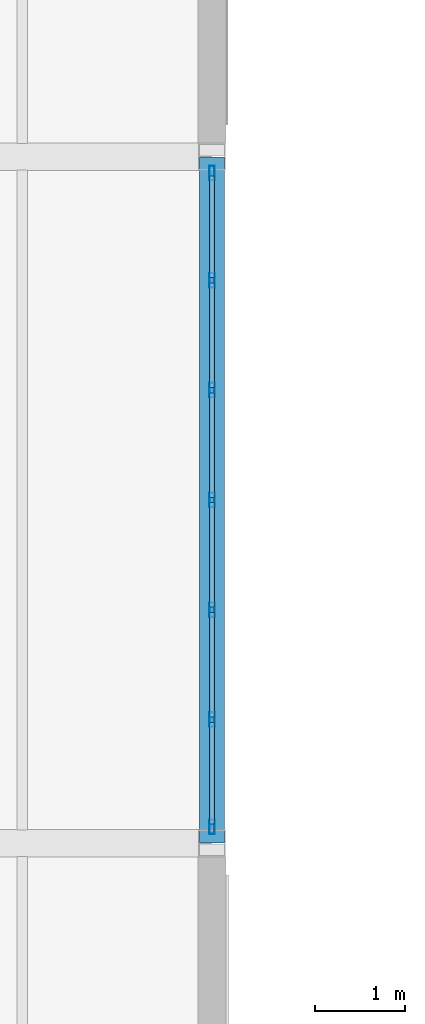
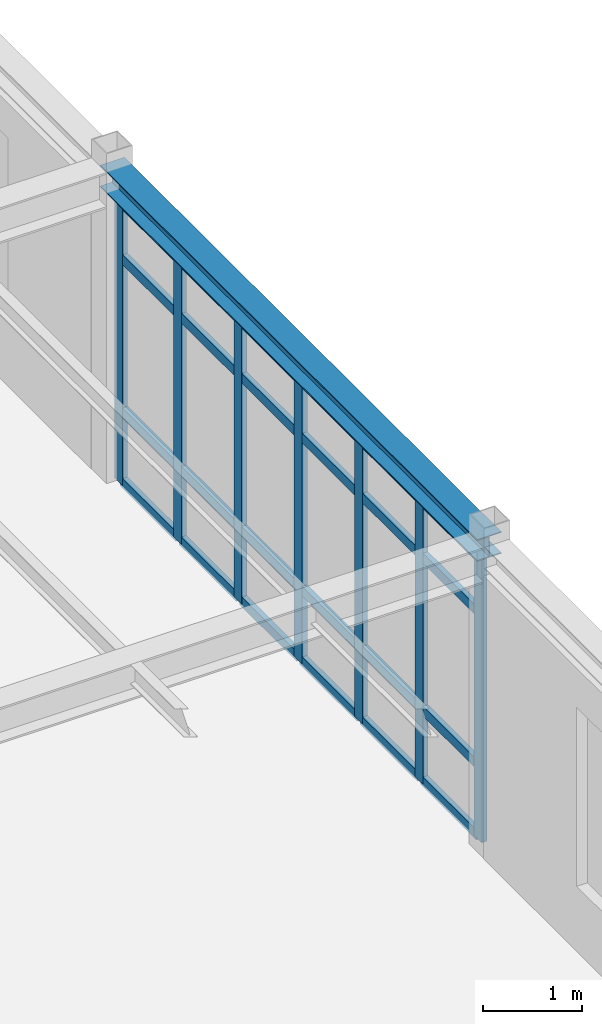
# One storey, part 90 of 165: 31 members, 1 beam, 1 element without a shape of its own.
"""IFC4 building model written with IfcOpenShell, lengths in metres."""

from ifc_helpers import new_model, si_unit, direction, frame, origin, origin_2d, place, context, subcontext, project, spatial, hollow_rectangle, i_section, extrude, material, layer, layer_set, material_profile, profile_set, type_object, element, aggregate, save


model = new_model("IFC4")

# Units and contexts
model_context = context("Model", 3, precision=1e-05, world=origin(), true_north=direction((0.0, 1.0)))
body_context = subcontext(model_context, "Body", "Model", "MODEL_VIEW")
ifc_project = project(units=[si_unit("LENGTHUNIT", "METRE"), si_unit("AREAUNIT", "SQUARE_METRE"), si_unit("VOLUMEUNIT", "CUBIC_METRE"), si_unit("PLANEANGLEUNIT", "RADIAN"), si_unit("MASSUNIT", "GRAM", prefix="KILO")], contexts=[model_context])

# Site, building, storey
site_placement = place(None, origin())
site = spatial("IfcSite", under=ifc_project, at=site_placement, CompositionType="ELEMENT")
building_placement = place(site_placement, origin())
building = spatial("IfcBuilding", under=site, at=building_placement, Name="Montecoro Central Library", CompositionType="ELEMENT")
storey_placement = place(building_placement, frame((0.0, 0.0, 5.10009765625)))
storey = spatial("IfcBuildingStorey", under=building, at=storey_placement, Name="L01", CompositionType="ELEMENT", Elevation=5.10009765625)

# Beam
ifc_material_1 = material(Name="Steel S355", Category="steel")
ifc_material_profile_1 = material_profile(ifc_material_1, i_section(OverallWidth=0.280029296875, OverallDepth=0.27001953125, WebThickness=0.008056640625, FlangeThickness=0.012939453125, at=origin_2d()), Name="HEA 280")
ifc_profile_set_1 = profile_set([ifc_material_profile_1], Name="Steel S355")
beam_type = type_object("IfcBeamType", Name="BM-SP-HEA280", PredefinedType="SPANDREL", material=ifc_profile_set_1)
beam_placement = place(storey_placement, frame((116.800048828125, 88.60498046875, 3.68994140625), z_axis=(0.0, 1.0, 0.0), x_axis=(-1.0, 0.0, 0.0)))
element("IfcBeam", 1, at=beam_placement, inside=storey, type_object=beam_type, Name="V2-L01-BY-15-MN", PredefinedType="SPANDREL", context=body_context, shape_type="SweptSolid", body=[
    extrude(i_section(OverallWidth=0.280029296875, OverallDepth=0.27001953125, WebThickness=0.008056640625, FlangeThickness=0.012939453125, at=origin_2d()), origin(), (0.0, 0.0, 1.0), 7.590087890625),
])

# Curtain wall, members
ifc_material_2 = material(Name="Bronze-anodised aluminium and low-E glazing", Category="aluminium")
ifc_layer = layer(ifc_material_2, 0.159912109375)
ifc_layer_set = layer_set([ifc_layer], Name="Bronze-anodised aluminium and low-E glazing")
curtain_wall_type = type_object("IfcCurtainWallType", Name="CWT-011", PredefinedType="NOTDEFINED", material=ifc_layer_set)
curtain_wall_placement = place(storey_placement, origin())
curtain_wall = element("IfcCurtainWall", 2, at=curtain_wall_placement, inside=storey, type_object=curtain_wall_type, Name="V2-L01-CW-E1", PredefinedType="NOTDEFINED")
ifc_material_3 = material(Name="Bronze-anodised aluminium", Category="aluminium")
ifc_material_profile_2 = material_profile(ifc_material_3, hollow_rectangle(XDim=0.06005859375, YDim=0.159912109375, WallThickness=0.00390625, at=origin_2d()), Name="CWM 160x60x4.0")
ifc_profile_set_2 = profile_set([ifc_material_profile_2], Name="Bronze-anodised aluminium")
member_type_1 = type_object("IfcMemberType", Name="CWM-BRZ-60", PredefinedType="MULLION", material=ifc_profile_set_2)
member_1_placement = place(storey_placement, frame((116.800048828125, 88.782958984375, 0.0), z_axis=(0.0, 0.0, 1.0), x_axis=(-1.0, 0.0, 0.0)))
member_1 = element("IfcMember", 3, at=member_1_placement, type_object=member_type_1, Name="CW-011 mullion 1", PredefinedType="MULLION", context=body_context, shape_type="SweptSolid", body=[
    extrude(hollow_rectangle(XDim=0.06005859375, YDim=0.159912109375, WallThickness=0.00390625, at=origin_2d()), origin(), (0.0, 0.0, 1.0), 3.47998046875),
])
member_2_placement = place(storey_placement, frame((116.800048828125, 89.96875, 0.0), z_axis=(0.0, 0.0, 1.0), x_axis=(-1.0, 0.0, 0.0)))
member_2 = element("IfcMember", 4, at=member_2_placement, type_object=member_type_1, Name="CW-011 mullion 2", PredefinedType="MULLION", context=body_context, shape_type="SweptSolid", body=[
    extrude(hollow_rectangle(XDim=0.06005859375, YDim=0.159912109375, WallThickness=0.00390625, at=origin_2d()), origin(), (0.0, 0.0, 1.0), 3.47998046875),
])
member_3_placement = place(storey_placement, frame((116.800048828125, 91.184326171875, 0.0), z_axis=(0.0, 0.0, 1.0), x_axis=(-1.0, 0.0, 0.0)))
member_3 = element("IfcMember", 5, at=member_3_placement, type_object=member_type_1, Name="CW-011 mullion 3", PredefinedType="MULLION", context=body_context, shape_type="SweptSolid", body=[
    extrude(hollow_rectangle(XDim=0.06005859375, YDim=0.159912109375, WallThickness=0.00390625, at=origin_2d()), origin(), (0.0, 0.0, 1.0), 3.47998046875),
])
member_4_placement = place(storey_placement, frame((116.800048828125, 92.39990234375, 0.0), z_axis=(0.0, 0.0, 1.0), x_axis=(-1.0, 0.0, 0.0)))
member_4 = element("IfcMember", 6, at=member_4_placement, type_object=member_type_1, Name="CW-011 mullion 4", PredefinedType="MULLION", context=body_context, shape_type="SweptSolid", body=[
    extrude(hollow_rectangle(XDim=0.06005859375, YDim=0.159912109375, WallThickness=0.00390625, at=origin_2d()), origin(), (0.0, 0.0, 1.0), 3.47998046875),
])
member_5_placement = place(storey_placement, frame((116.800048828125, 93.61572265625, 0.0), z_axis=(0.0, 0.0, 1.0), x_axis=(-1.0, 0.0, 0.0)))
member_5 = element("IfcMember", 7, at=member_5_placement, type_object=member_type_1, Name="CW-011 mullion 5", PredefinedType="MULLION", context=body_context, shape_type="SweptSolid", body=[
    extrude(hollow_rectangle(XDim=0.06005859375, YDim=0.159912109375, WallThickness=0.00390625, at=origin_2d()), origin(), (0.0, 0.0, 1.0), 3.47998046875),
])
member_6_placement = place(storey_placement, frame((116.800048828125, 94.831298828125, 0.0), z_axis=(0.0, 0.0, 1.0), x_axis=(-1.0, 0.0, 0.0)))
member_6 = element("IfcMember", 8, at=member_6_placement, type_object=member_type_1, Name="CW-011 mullion 6", PredefinedType="MULLION", context=body_context, shape_type="SweptSolid", body=[
    extrude(hollow_rectangle(XDim=0.06005859375, YDim=0.159912109375, WallThickness=0.00390625, at=origin_2d()), origin(), (0.0, 0.0, 1.0), 3.47998046875),
])
member_7_placement = place(storey_placement, frame((116.800048828125, 96.01708984375, 0.0), z_axis=(0.0, 0.0, 1.0), x_axis=(-1.0, 0.0, 0.0)))
member_7 = element("IfcMember", 9, at=member_7_placement, type_object=member_type_1, Name="CW-011 mullion 7", PredefinedType="MULLION", context=body_context, shape_type="SweptSolid", body=[
    extrude(hollow_rectangle(XDim=0.06005859375, YDim=0.159912109375, WallThickness=0.00390625, at=origin_2d()), origin(), (0.0, 0.0, 1.0), 3.47998046875),
])
ifc_material_profile_3 = material_profile(ifc_material_3, hollow_rectangle(XDim=0.06005859375, YDim=0.1201171875, WallThickness=0.00390625, at=origin_2d()), Name="CWT 120x60x4.0")
ifc_profile_set_3 = profile_set([ifc_material_profile_3], Name="Bronze-anodised aluminium")
member_type_2 = type_object("IfcMemberType", Name="CWT-BRZ-60", PredefinedType="USERDEFINED", material=ifc_profile_set_3)
member_8_placement = place(storey_placement, frame((116.800048828125, 88.81298828125, 0.02978515625), z_axis=(0.0, 1.0, 0.0), x_axis=(-1.0, 0.0, 0.0)))
member_8 = element("IfcMember", 10, at=member_8_placement, type_object=member_type_2, Name="CW-011 transom 1.1", ObjectType="TRANSOM", PredefinedType="USERDEFINED", context=body_context, shape_type="SweptSolid", body=[
    extrude(hollow_rectangle(XDim=0.06005859375, YDim=0.1201171875, WallThickness=0.00390625, at=origin_2d()), origin(), (0.0, 0.0, 1.0), 1.125732421875),
])
member_9_placement = place(storey_placement, frame((116.800048828125, 88.81298828125, 0.89990234375), z_axis=(0.0, 1.0, 0.0), x_axis=(-1.0, 0.0, 0.0)))
member_9 = element("IfcMember", 11, at=member_9_placement, type_object=member_type_2, Name="CW-011 transom 1.2", ObjectType="TRANSOM", PredefinedType="USERDEFINED", context=body_context, shape_type="SweptSolid", body=[
    extrude(hollow_rectangle(XDim=0.06005859375, YDim=0.1201171875, WallThickness=0.00390625, at=origin_2d()), origin(), (0.0, 0.0, 1.0), 1.125732421875),
])
member_10_placement = place(storey_placement, frame((116.800048828125, 88.81298828125, 2.77978515625), z_axis=(0.0, 1.0, 0.0), x_axis=(-1.0, 0.0, 0.0)))
member_10 = element("IfcMember", 12, at=member_10_placement, type_object=member_type_2, Name="CW-011 transom 1.3", ObjectType="TRANSOM", PredefinedType="USERDEFINED", context=body_context, shape_type="SweptSolid", body=[
    extrude(hollow_rectangle(XDim=0.06005859375, YDim=0.1201171875, WallThickness=0.00390625, at=origin_2d()), origin(), (0.0, 0.0, 1.0), 1.125732421875),
])
member_11_placement = place(storey_placement, frame((116.800048828125, 88.81298828125, 3.449951171875), z_axis=(0.0, 1.0, 0.0), x_axis=(-1.0, 0.0, 0.0)))
member_11 = element("IfcMember", 13, at=member_11_placement, type_object=member_type_2, Name="CW-011 transom 1.4", ObjectType="TRANSOM", PredefinedType="USERDEFINED", context=body_context, shape_type="SweptSolid", body=[
    extrude(hollow_rectangle(XDim=0.06005859375, YDim=0.1201171875, WallThickness=0.00390625, at=origin_2d()), origin(), (0.0, 0.0, 1.0), 1.125732421875),
])
member_12_placement = place(storey_placement, frame((116.800048828125, 89.998779296875, 0.02978515625), z_axis=(0.0, 1.0, 0.0), x_axis=(-1.0, 0.0, 0.0)))
member_12 = element("IfcMember", 14, at=member_12_placement, type_object=member_type_2, Name="CW-011 transom 2.1", ObjectType="TRANSOM", PredefinedType="USERDEFINED", context=body_context, shape_type="SweptSolid", body=[
    extrude(hollow_rectangle(XDim=0.06005859375, YDim=0.1201171875, WallThickness=0.00390625, at=origin_2d()), origin(), (0.0, 0.0, 1.0), 1.155517578125),
])
member_13_placement = place(storey_placement, frame((116.800048828125, 89.998779296875, 0.89990234375), z_axis=(0.0, 1.0, 0.0), x_axis=(-1.0, 0.0, 0.0)))
member_13 = element("IfcMember", 15, at=member_13_placement, type_object=member_type_2, Name="CW-011 transom 2.2", ObjectType="TRANSOM", PredefinedType="USERDEFINED", context=body_context, shape_type="SweptSolid", body=[
    extrude(hollow_rectangle(XDim=0.06005859375, YDim=0.1201171875, WallThickness=0.00390625, at=origin_2d()), origin(), (0.0, 0.0, 1.0), 1.155517578125),
])
member_14_placement = place(storey_placement, frame((116.800048828125, 89.998779296875, 2.77978515625), z_axis=(0.0, 1.0, 0.0), x_axis=(-1.0, 0.0, 0.0)))
member_14 = element("IfcMember", 16, at=member_14_placement, type_object=member_type_2, Name="CW-011 transom 2.3", ObjectType="TRANSOM", PredefinedType="USERDEFINED", context=body_context, shape_type="SweptSolid", body=[
    extrude(hollow_rectangle(XDim=0.06005859375, YDim=0.1201171875, WallThickness=0.00390625, at=origin_2d()), origin(), (0.0, 0.0, 1.0), 1.155517578125),
])
member_15_placement = place(storey_placement, frame((116.800048828125, 89.998779296875, 3.449951171875), z_axis=(0.0, 1.0, 0.0), x_axis=(-1.0, 0.0, 0.0)))
member_15 = element("IfcMember", 17, at=member_15_placement, type_object=member_type_2, Name="CW-011 transom 2.4", ObjectType="TRANSOM", PredefinedType="USERDEFINED", context=body_context, shape_type="SweptSolid", body=[
    extrude(hollow_rectangle(XDim=0.06005859375, YDim=0.1201171875, WallThickness=0.00390625, at=origin_2d()), origin(), (0.0, 0.0, 1.0), 1.155517578125),
])
member_16_placement = place(storey_placement, frame((116.800048828125, 91.21435546875, 0.02978515625), z_axis=(0.0, 1.0, 0.0), x_axis=(-1.0, 0.0, 0.0)))
member_16 = element("IfcMember", 18, at=member_16_placement, type_object=member_type_2, Name="CW-011 transom 3.1", ObjectType="TRANSOM", PredefinedType="USERDEFINED", context=body_context, shape_type="SweptSolid", body=[
    extrude(hollow_rectangle(XDim=0.06005859375, YDim=0.1201171875, WallThickness=0.00390625, at=origin_2d()), origin(), (0.0, 0.0, 1.0), 1.15576171875),
])
member_17_placement = place(storey_placement, frame((116.800048828125, 91.21435546875, 0.89990234375), z_axis=(0.0, 1.0, 0.0), x_axis=(-1.0, 0.0, 0.0)))
member_17 = element("IfcMember", 19, at=member_17_placement, type_object=member_type_2, Name="CW-011 transom 3.2", ObjectType="TRANSOM", PredefinedType="USERDEFINED", context=body_context, shape_type="SweptSolid", body=[
    extrude(hollow_rectangle(XDim=0.06005859375, YDim=0.1201171875, WallThickness=0.00390625, at=origin_2d()), origin(), (0.0, 0.0, 1.0), 1.15576171875),
])
member_18_placement = place(storey_placement, frame((116.800048828125, 91.21435546875, 2.77978515625), z_axis=(0.0, 1.0, 0.0), x_axis=(-1.0, 0.0, 0.0)))
member_18 = element("IfcMember", 20, at=member_18_placement, type_object=member_type_2, Name="CW-011 transom 3.3", ObjectType="TRANSOM", PredefinedType="USERDEFINED", context=body_context, shape_type="SweptSolid", body=[
    extrude(hollow_rectangle(XDim=0.06005859375, YDim=0.1201171875, WallThickness=0.00390625, at=origin_2d()), origin(), (0.0, 0.0, 1.0), 1.15576171875),
])
member_19_placement = place(storey_placement, frame((116.800048828125, 91.21435546875, 3.449951171875), z_axis=(0.0, 1.0, 0.0), x_axis=(-1.0, 0.0, 0.0)))
member_19 = element("IfcMember", 21, at=member_19_placement, type_object=member_type_2, Name="CW-011 transom 3.4", ObjectType="TRANSOM", PredefinedType="USERDEFINED", context=body_context, shape_type="SweptSolid", body=[
    extrude(hollow_rectangle(XDim=0.06005859375, YDim=0.1201171875, WallThickness=0.00390625, at=origin_2d()), origin(), (0.0, 0.0, 1.0), 1.15576171875),
])
member_20_placement = place(storey_placement, frame((116.800048828125, 92.429931640625, 0.02978515625), z_axis=(0.0, 1.0, 0.0), x_axis=(-1.0, 0.0, 0.0)))
member_20 = element("IfcMember", 22, at=member_20_placement, type_object=member_type_2, Name="CW-011 transom 4.1", ObjectType="TRANSOM", PredefinedType="USERDEFINED", context=body_context, shape_type="SweptSolid", body=[
    extrude(hollow_rectangle(XDim=0.06005859375, YDim=0.1201171875, WallThickness=0.00390625, at=origin_2d()), origin(), (0.0, 0.0, 1.0), 1.15576171875),
])
member_21_placement = place(storey_placement, frame((116.800048828125, 92.429931640625, 0.89990234375), z_axis=(0.0, 1.0, 0.0), x_axis=(-1.0, 0.0, 0.0)))
member_21 = element("IfcMember", 23, at=member_21_placement, type_object=member_type_2, Name="CW-011 transom 4.2", ObjectType="TRANSOM", PredefinedType="USERDEFINED", context=body_context, shape_type="SweptSolid", body=[
    extrude(hollow_rectangle(XDim=0.06005859375, YDim=0.1201171875, WallThickness=0.00390625, at=origin_2d()), origin(), (0.0, 0.0, 1.0), 1.15576171875),
])
member_22_placement = place(storey_placement, frame((116.800048828125, 92.429931640625, 2.77978515625), z_axis=(0.0, 1.0, 0.0), x_axis=(-1.0, 0.0, 0.0)))
member_22 = element("IfcMember", 24, at=member_22_placement, type_object=member_type_2, Name="CW-011 transom 4.3", ObjectType="TRANSOM", PredefinedType="USERDEFINED", context=body_context, shape_type="SweptSolid", body=[
    extrude(hollow_rectangle(XDim=0.06005859375, YDim=0.1201171875, WallThickness=0.00390625, at=origin_2d()), origin(), (0.0, 0.0, 1.0), 1.15576171875),
])
member_23_placement = place(storey_placement, frame((116.800048828125, 92.429931640625, 3.449951171875), z_axis=(0.0, 1.0, 0.0), x_axis=(-1.0, 0.0, 0.0)))
member_23 = element("IfcMember", 25, at=member_23_placement, type_object=member_type_2, Name="CW-011 transom 4.4", ObjectType="TRANSOM", PredefinedType="USERDEFINED", context=body_context, shape_type="SweptSolid", body=[
    extrude(hollow_rectangle(XDim=0.06005859375, YDim=0.1201171875, WallThickness=0.00390625, at=origin_2d()), origin(), (0.0, 0.0, 1.0), 1.15576171875),
])
member_24_placement = place(storey_placement, frame((116.800048828125, 93.645751953125, 0.02978515625), z_axis=(0.0, 1.0, 0.0), x_axis=(-1.0, 0.0, 0.0)))
member_24 = element("IfcMember", 26, at=member_24_placement, type_object=member_type_2, Name="CW-011 transom 5.1", ObjectType="TRANSOM", PredefinedType="USERDEFINED", context=body_context, shape_type="SweptSolid", body=[
    extrude(hollow_rectangle(XDim=0.06005859375, YDim=0.1201171875, WallThickness=0.00390625, at=origin_2d()), origin(), (0.0, 0.0, 1.0), 1.155517578125),
])
member_25_placement = place(storey_placement, frame((116.800048828125, 93.645751953125, 0.89990234375), z_axis=(0.0, 1.0, 0.0), x_axis=(-1.0, 0.0, 0.0)))
member_25 = element("IfcMember", 27, at=member_25_placement, type_object=member_type_2, Name="CW-011 transom 5.2", ObjectType="TRANSOM", PredefinedType="USERDEFINED", context=body_context, shape_type="SweptSolid", body=[
    extrude(hollow_rectangle(XDim=0.06005859375, YDim=0.1201171875, WallThickness=0.00390625, at=origin_2d()), origin(), (0.0, 0.0, 1.0), 1.155517578125),
])
member_26_placement = place(storey_placement, frame((116.800048828125, 93.645751953125, 2.77978515625), z_axis=(0.0, 1.0, 0.0), x_axis=(-1.0, 0.0, 0.0)))
member_26 = element("IfcMember", 28, at=member_26_placement, type_object=member_type_2, Name="CW-011 transom 5.3", ObjectType="TRANSOM", PredefinedType="USERDEFINED", context=body_context, shape_type="SweptSolid", body=[
    extrude(hollow_rectangle(XDim=0.06005859375, YDim=0.1201171875, WallThickness=0.00390625, at=origin_2d()), origin(), (0.0, 0.0, 1.0), 1.155517578125),
])
member_27_placement = place(storey_placement, frame((116.800048828125, 93.645751953125, 3.449951171875), z_axis=(0.0, 1.0, 0.0), x_axis=(-1.0, 0.0, 0.0)))
member_27 = element("IfcMember", 29, at=member_27_placement, type_object=member_type_2, Name="CW-011 transom 5.4", ObjectType="TRANSOM", PredefinedType="USERDEFINED", context=body_context, shape_type="SweptSolid", body=[
    extrude(hollow_rectangle(XDim=0.06005859375, YDim=0.1201171875, WallThickness=0.00390625, at=origin_2d()), origin(), (0.0, 0.0, 1.0), 1.155517578125),
])
member_28_placement = place(storey_placement, frame((116.800048828125, 94.861328125, 0.02978515625), z_axis=(0.0, 1.0, 0.0), x_axis=(-1.0, 0.0, 0.0)))
member_28 = element("IfcMember", 30, at=member_28_placement, type_object=member_type_2, Name="CW-011 transom 6.1", ObjectType="TRANSOM", PredefinedType="USERDEFINED", context=body_context, shape_type="SweptSolid", body=[
    extrude(hollow_rectangle(XDim=0.06005859375, YDim=0.1201171875, WallThickness=0.00390625, at=origin_2d()), origin(), (0.0, 0.0, 1.0), 1.125732421875),
])
member_29_placement = place(storey_placement, frame((116.800048828125, 94.861328125, 0.89990234375), z_axis=(0.0, 1.0, 0.0), x_axis=(-1.0, 0.0, 0.0)))
member_29 = element("IfcMember", 31, at=member_29_placement, type_object=member_type_2, Name="CW-011 transom 6.2", ObjectType="TRANSOM", PredefinedType="USERDEFINED", context=body_context, shape_type="SweptSolid", body=[
    extrude(hollow_rectangle(XDim=0.06005859375, YDim=0.1201171875, WallThickness=0.00390625, at=origin_2d()), origin(), (0.0, 0.0, 1.0), 1.125732421875),
])
member_30_placement = place(storey_placement, frame((116.800048828125, 94.861328125, 2.77978515625), z_axis=(0.0, 1.0, 0.0), x_axis=(-1.0, 0.0, 0.0)))
member_30 = element("IfcMember", 32, at=member_30_placement, type_object=member_type_2, Name="CW-011 transom 6.3", ObjectType="TRANSOM", PredefinedType="USERDEFINED", context=body_context, shape_type="SweptSolid", body=[
    extrude(hollow_rectangle(XDim=0.06005859375, YDim=0.1201171875, WallThickness=0.00390625, at=origin_2d()), origin(), (0.0, 0.0, 1.0), 1.125732421875),
])
member_31_placement = place(storey_placement, frame((116.800048828125, 94.861328125, 3.449951171875), z_axis=(0.0, 1.0, 0.0), x_axis=(-1.0, 0.0, 0.0)))
member_31 = element("IfcMember", 33, at=member_31_placement, type_object=member_type_2, Name="CW-011 transom 6.4", ObjectType="TRANSOM", PredefinedType="USERDEFINED", context=body_context, shape_type="SweptSolid", body=[
    extrude(hollow_rectangle(XDim=0.06005859375, YDim=0.1201171875, WallThickness=0.00390625, at=origin_2d()), origin(), (0.0, 0.0, 1.0), 1.125732421875),
])
aggregate(curtain_wall, [member_1, member_2, member_3, member_4, member_5, member_6, member_7, member_8, member_9, member_10, member_11, member_12, member_13, member_14, member_15, member_16, member_17, member_18, member_19, member_20, member_21, member_22, member_23, member_24, member_25, member_26, member_27, member_28, member_29, member_30, member_31])

save(model, "model.ifc")
